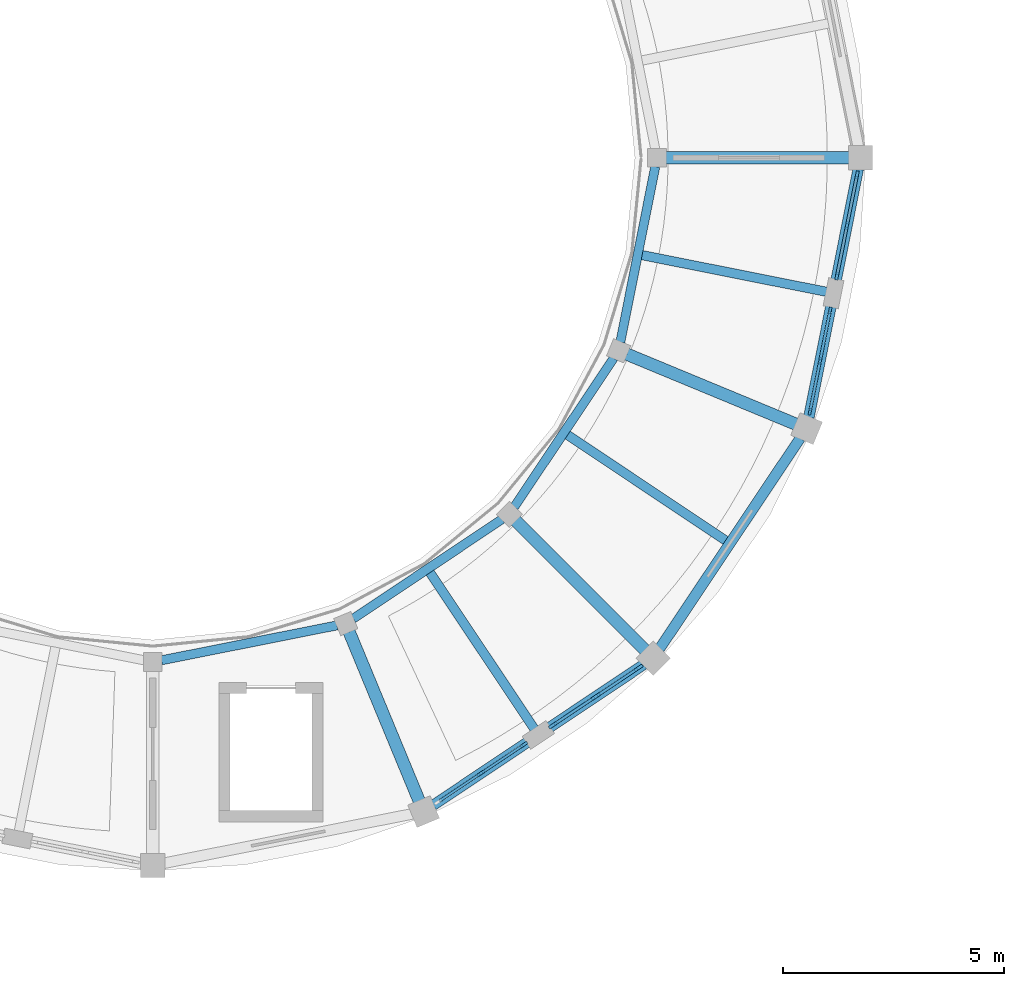
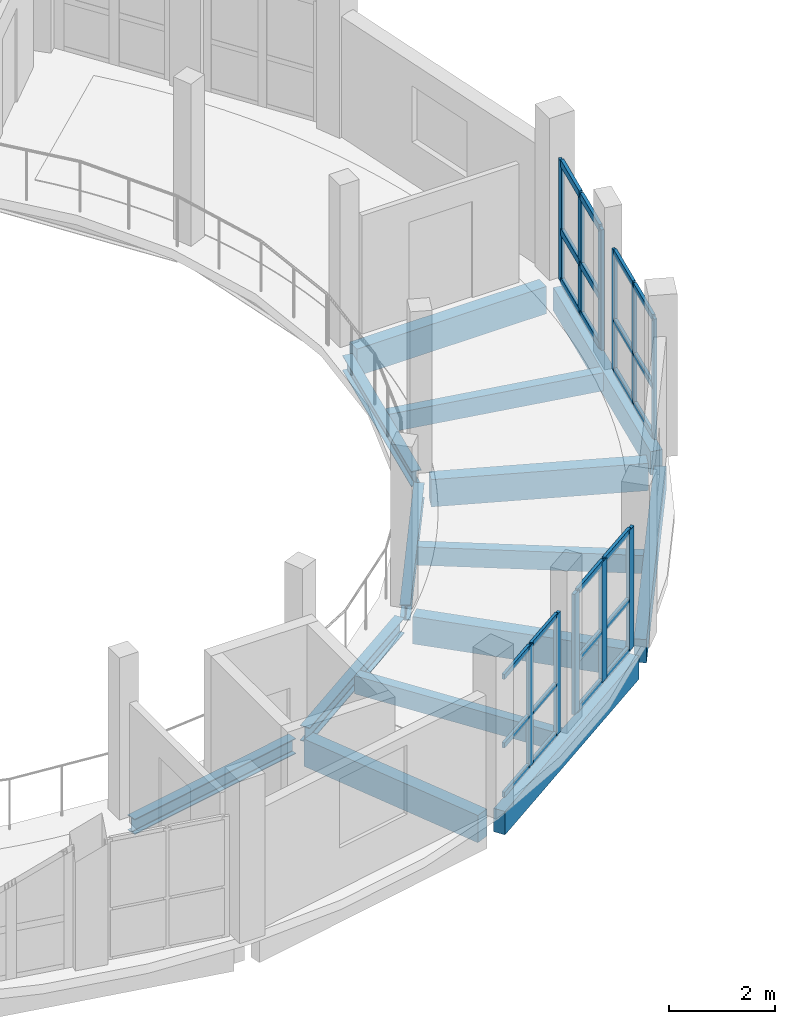
# One storey, part 34 of 77: 35 members, 14 beams, 4 elements without a shape of their own.
"""IFC4 building model written with IfcOpenShell, lengths in metres."""

from ifc_helpers import new_model, si_unit, direction, frame, origin, origin_2d, place, context, subcontext, project, spatial, rectangle, i_section, extrude, material, layer, layer_set, material_profile, profile_set, type_object, element, aggregate, save


model = new_model("IFC4")

# Units and contexts
model_context = context("Model", 3, precision=1e-05, world=origin(), true_north=direction((0.0, 1.0)))
body_context = subcontext(model_context, "Body", "Model", "MODEL_VIEW")
ifc_project = project(units=[si_unit("LENGTHUNIT", "METRE"), si_unit("AREAUNIT", "SQUARE_METRE"), si_unit("VOLUMEUNIT", "CUBIC_METRE"), si_unit("PLANEANGLEUNIT", "RADIAN"), si_unit("MASSUNIT", "GRAM", prefix="KILO")], contexts=[model_context])

# Site, building, storey
site_placement = place(None, origin())
site = spatial("IfcSite", under=ifc_project, at=site_placement, CompositionType="ELEMENT")
building_placement = place(site_placement, origin())
building = spatial("IfcBuilding", under=site, at=building_placement, Name="Caldaven Crescent School", CompositionType="ELEMENT")
storey_placement = place(building_placement, frame((0.0, 0.0, 4.419921875)))
storey = spatial("IfcBuildingStorey", under=building, at=storey_placement, Name="L01", CompositionType="ELEMENT", Elevation=4.419921875)

# Beams
ifc_material_1 = material(Name="Glulam MLE24h (GL28h)", Category="wood")
ifc_material_profile_1 = material_profile(ifc_material_1, rectangle(XDim=0.280029296875, YDim=0.6298828125, at=origin_2d()), Name="MLE 280x630")
ifc_profile_set_1 = profile_set([ifc_material_profile_1], Name="Glulam MLE24h (GL28h)")
beam_type_1 = type_object("IfcBeamType", Name="BM-GL63", PredefinedType="BEAM", material=ifc_profile_set_1)
for number, where, z_axis, x_axis, name in (
    (1, (35.10009765625, 98.5, -0.534912109375), (1.0, 0.0, 0.0), (0.0, 1.0, 0.0), "BM-V2-L01-0288"),
    (2, (27.939208984375, 87.782958984375, -0.534912109375), (0.382679925467, -0.923880985108, 0.0), (0.923880985108, 0.382679925467, 0.0), "BM-V2-L01-0337"),
):
    element("IfcBeam", number, at=place(storey_placement, frame(where, z_axis=z_axis, x_axis=x_axis)), inside=storey, type_object=beam_type_1, Name=name, PredefinedType="BEAM", context=body_context, shape_type="SweptSolid", body=[
        extrude(rectangle(XDim=0.280029296875, YDim=0.6298828125, at=origin_2d()), origin(), (0.0, 0.0, 1.0), 4.139892578125),
    ])
beam_1_placement = place(storey_placement, frame((31.702392578125, 90.297607421875, -0.534912109375), z_axis=(0.707106781187, -0.707106781187, 0.0), x_axis=(0.707106781187, 0.707106781187, 0.0)))
element("IfcBeam", 3, at=beam_1_placement, inside=storey, type_object=beam_type_1, Name="BM-V2-L01-0341", PredefinedType="BEAM", context=body_context, shape_type="SweptSolid", body=[
    extrude(rectangle(XDim=0.280029296875, YDim=0.6298828125, at=origin_2d()), origin(), (0.0, 0.0, 1.0), 4.14013671875),
])
beam_2_placement = place(storey_placement, frame((34.217041015625, 94.060791015625, -0.534912109375), z_axis=(0.923880985108, -0.382679925467, 0.0), x_axis=(0.382679925467, 0.923880985108, 0.0)))
element("IfcBeam", 4, at=beam_2_placement, inside=storey, type_object=beam_type_1, Name="BM-V2-L01-0345", PredefinedType="BEAM", context=body_context, shape_type="SweptSolid", body=[
    extrude(rectangle(XDim=0.280029296875, YDim=0.6298828125, at=origin_2d()), origin(), (0.0, 0.0, 1.0), 4.139892578125),
])
ifc_material_2 = material(Name="Steel ASTM A572 Grade 50", Category="steel")
ifc_material_profile_2 = material_profile(ifc_material_2, i_section(OverallWidth=0.205078125, OverallDepth=0.35400390625, WebThickness=0.009521484375, FlangeThickness=0.016845703125, FilletRadius=0.014892578125, at=origin_2d()), Name="W360x79")
ifc_profile_set_2 = profile_set([ifc_material_profile_2], Name="Steel ASTM A572 Grade 50")
beam_type_2 = type_object("IfcBeamType", Name="BM-W36", PredefinedType="BEAM", material=ifc_profile_set_2)
beam_3_placement = place(storey_placement, frame((23.696044921875, 87.138916015625, -0.39697265625), z_axis=(0.980784262971, 0.195095436925, 0.0), x_axis=(-0.195095436925, 0.980784262971, 0.0)))
element("IfcBeam", 5, at=beam_3_placement, inside=storey, type_object=beam_type_2, Name="BM-V2-L01-0335", PredefinedType="BEAM", context=body_context, shape_type="SweptSolid", body=[
    extrude(i_section(OverallWidth=0.205078125, OverallDepth=0.35400390625, WebThickness=0.009521484375, FlangeThickness=0.016845703125, FilletRadius=0.014892578125, at=origin_2d()), origin(), (0.0, 0.0, 1.0), 4.04833984375),
])
for number, where, z_axis, x_axis, name in (
    (6, (28.02880859375, 88.078857421875, -0.39697265625), (0.831474595704, 0.55556277476, 0.0), (-0.55556277476, 0.831474595704, 0.0), "BM-V2-L01-0338"),
    (7, (31.672119140625, 90.605224609375, -0.39697265625), (0.55556277476, 0.831474595704, 0.0), (-0.831474595704, 0.55556277476, 0.0), "BM-V2-L01-0342"),
):
    element("IfcBeam", number, at=place(storey_placement, frame(where, z_axis=z_axis, x_axis=x_axis)), inside=storey, type_object=beam_type_2, Name=name, PredefinedType="BEAM", context=body_context, shape_type="SweptSolid", body=[
        extrude(i_section(OverallWidth=0.205078125, OverallDepth=0.35400390625, WebThickness=0.009521484375, FlangeThickness=0.016845703125, FilletRadius=0.014892578125, at=origin_2d()), origin(), (0.0, 0.0, 1.0), 4.048095703125),
    ])
beam_4_placement = place(storey_placement, frame((34.0712890625, 94.33349609375, -0.39697265625), z_axis=(0.195095436925, 0.980784262971, 0.0), x_axis=(-0.980784262971, 0.195095436925, 0.0)))
element("IfcBeam", 8, at=beam_4_placement, inside=storey, type_object=beam_type_2, Name="BM-V2-L01-0346", PredefinedType="BEAM", context=body_context, shape_type="SweptSolid", body=[
    extrude(i_section(OverallWidth=0.205078125, OverallDepth=0.35400390625, WebThickness=0.009521484375, FlangeThickness=0.016845703125, FilletRadius=0.014892578125, at=origin_2d()), origin(), (0.0, 0.0, 1.0), 4.04833984375),
])

# Curtain wall, members
ifc_material_3 = material(Name="Anodised aluminium AA 6063-T6 and low-E double glazing", Category="aluminium")
ifc_layer_1 = layer(ifc_material_3, 0.22998046875)
ifc_layer_set_1 = layer_set([ifc_layer_1], Name="Anodised aluminium AA 6063-T6 and low-E double glazing")
curtain_wall_type_1 = type_object("IfcCurtainWallType", Name="CW-SYS4", PredefinedType="NOTDEFINED", material=ifc_layer_set_1)
curtain_wall_1_placement = place(storey_placement, origin())
curtain_wall_1 = element("IfcCurtainWall", 9, at=curtain_wall_1_placement, inside=storey, type_object=curtain_wall_type_1, Name="CW-L01-071", PredefinedType="NOTDEFINED")
ifc_material_4 = material(Name="Anodised aluminium AA 6063-T6", Category="aluminium")
ifc_material_profile_3 = material_profile(ifc_material_4, rectangle(XDim=0.06005859375, YDim=0.14990234375, at=origin_2d()), Name="CWM 60x150")
ifc_profile_set_3 = profile_set([ifc_material_profile_3], Name="Anodised aluminium AA 6063-T6")
member_type_1 = type_object("IfcMemberType", Name="CWM-T1", PredefinedType="MULLION", material=ifc_profile_set_3)
member_1_placement = place(storey_placement, frame((38.358154296875, 92.759521484375, 0.0), z_axis=(0.0, 0.0, 1.0), x_axis=(-0.980785941636, 0.195086997747, 0.0)))
member_1 = element("IfcMember", 10, at=member_1_placement, type_object=member_type_1, Name="CW4 mullion 1", PredefinedType="MULLION", context=body_context, shape_type="SweptSolid", body=[
    extrude(rectangle(XDim=0.06005859375, YDim=0.14990234375, at=origin_2d()), origin(), (0.0, 0.0, 1.0), 2.780029296875),
])
member_2_placement = place(storey_placement, frame((38.586669921875, 93.90771484375, 0.0), z_axis=(0.0, 0.0, 1.0), x_axis=(-0.980785941636, 0.195086997747, 0.0)))
member_2 = element("IfcMember", 11, at=member_2_placement, type_object=member_type_1, Name="CW4 mullion 2", PredefinedType="MULLION", context=body_context, shape_type="SweptSolid", body=[
    extrude(rectangle(XDim=0.06005859375, YDim=0.14990234375, at=origin_2d()), origin(), (0.0, 0.0, 1.0), 2.780029296875),
])
member_3_placement = place(storey_placement, frame((38.81494140625, 95.055908203125, 0.0), z_axis=(0.0, 0.0, 1.0), x_axis=(-0.980785941636, 0.195086997747, 0.0)))
member_3 = element("IfcMember", 12, at=member_3_placement, type_object=member_type_1, Name="CW4 mullion 3", PredefinedType="MULLION", context=body_context, shape_type="SweptSolid", body=[
    extrude(rectangle(XDim=0.06005859375, YDim=0.14990234375, at=origin_2d()), origin(), (0.0, 0.0, 1.0), 2.780029296875),
])

ifc_layer_2 = layer(ifc_material_3, 0.18994140625)
ifc_layer_set_2 = layer_set([ifc_layer_2], Name="Anodised aluminium AA 6063-T6 and low-E double glazing")
curtain_wall_type_2 = type_object("IfcCurtainWallType", Name="CW-SYS2", PredefinedType="NOTDEFINED", material=ifc_layer_set_2)
curtain_wall_2_placement = place(storey_placement, origin())
curtain_wall_2 = element("IfcCurtainWall", 13, at=curtain_wall_2_placement, inside=storey, type_object=curtain_wall_type_2, Name="CW-L01-069", PredefinedType="NOTDEFINED")
ifc_material_profile_4 = material_profile(ifc_material_4, rectangle(XDim=0.06494140625, YDim=0.179931640625, at=origin_2d()), Name="CWM 65x180")
ifc_profile_set_4 = profile_set([ifc_material_profile_4], Name="Anodised aluminium AA 6063-T6")
member_type_2 = type_object("IfcMemberType", Name="CWM-T2", PredefinedType="MULLION", material=ifc_profile_set_4)
member_4_placement = place(storey_placement, frame((30.920654296875, 84.5849609375, 0.0), z_axis=(0.0, 0.0, 1.0), x_axis=(-0.555569561758, 0.831470060825, 0.0)))
member_4 = element("IfcMember", 14, at=member_4_placement, type_object=member_type_2, Name="CW2 mullion 2", PredefinedType="MULLION", context=body_context, shape_type="SweptSolid", body=[
    extrude(rectangle(XDim=0.06494140625, YDim=0.179931640625, at=origin_2d()), origin(), (0.0, 0.0, 1.0), 2.780029296875),
])
member_5_placement = place(storey_placement, frame((31.891845703125, 85.234130859375, 0.0), z_axis=(0.0, 0.0, 1.0), x_axis=(-0.555569561758, 0.831470060825, 0.0)))
member_5 = element("IfcMember", 15, at=member_5_placement, type_object=member_type_2, Name="CW2 mullion 3", PredefinedType="MULLION", context=body_context, shape_type="SweptSolid", body=[
    extrude(rectangle(XDim=0.06494140625, YDim=0.179931640625, at=origin_2d()), origin(), (0.0, 0.0, 1.0), 2.780029296875),
])

ifc_layer_3 = layer(ifc_material_3, 0.169921875)
ifc_layer_set_3 = layer_set([ifc_layer_3], Name="Anodised aluminium AA 6063-T6 and low-E double glazing")
curtain_wall_type_3 = type_object("IfcCurtainWallType", Name="CW-SYS1", PredefinedType="NOTDEFINED", material=ifc_layer_set_3)
curtain_wall_3_placement = place(storey_placement, origin())
curtain_wall_3 = element("IfcCurtainWall", 16, at=curtain_wall_3_placement, inside=storey, type_object=curtain_wall_type_3, Name="CW-L01-072", PredefinedType="NOTDEFINED")
member_6_placement = place(storey_placement, frame((38.967529296875, 95.823486328125, 0.0), z_axis=(0.0, 0.0, 1.0), x_axis=(-0.980785144861, 0.19509100343, 0.0)))
member_6 = element("IfcMember", 17, at=member_6_placement, type_object=member_type_2, Name="CW1 mullion 1", PredefinedType="MULLION", context=body_context, shape_type="SweptSolid", body=[
    extrude(rectangle(XDim=0.06494140625, YDim=0.179931640625, at=origin_2d()), origin(), (0.0, 0.0, 1.0), 2.780029296875),
])
member_7_placement = place(storey_placement, frame((39.195556640625, 96.96923828125, 0.0), z_axis=(0.0, 0.0, 1.0), x_axis=(-0.980785144861, 0.19509100343, 0.0)))
member_7 = element("IfcMember", 18, at=member_7_placement, type_object=member_type_2, Name="CW1 mullion 2", PredefinedType="MULLION", context=body_context, shape_type="SweptSolid", body=[
    extrude(rectangle(XDim=0.06494140625, YDim=0.179931640625, at=origin_2d()), origin(), (0.0, 0.0, 1.0), 2.780029296875),
])
member_8_placement = place(storey_placement, frame((39.42333984375, 98.114990234375, 0.0), z_axis=(0.0, 0.0, 1.0), x_axis=(-0.980785144861, 0.19509100343, 0.0)))
member_8 = element("IfcMember", 19, at=member_8_placement, type_object=member_type_2, Name="CW1 mullion 3", PredefinedType="MULLION", context=body_context, shape_type="SweptSolid", body=[
    extrude(rectangle(XDim=0.06494140625, YDim=0.179931640625, at=origin_2d()), origin(), (0.0, 0.0, 1.0), 2.780029296875),
])

ifc_layer_4 = layer(ifc_material_3, 0.2099609375)
ifc_layer_set_4 = layer_set([ifc_layer_4], Name="Anodised aluminium AA 6063-T6 and low-E double glazing")
curtain_wall_type_4 = type_object("IfcCurtainWallType", Name="CW-SYS3", PredefinedType="NOTDEFINED", material=ifc_layer_set_4)
curtain_wall_4_placement = place(storey_placement, origin())
curtain_wall_4 = element("IfcCurtainWall", 20, at=curtain_wall_4_placement, inside=storey, type_object=curtain_wall_type_4, Name="CW-L01-070", PredefinedType="NOTDEFINED")
ifc_material_profile_5 = material_profile(ifc_material_4, rectangle(XDim=0.070068359375, YDim=0.2099609375, at=origin_2d()), Name="CWM 70x210")
ifc_profile_set_5 = profile_set([ifc_material_profile_5], Name="Anodised aluminium AA 6063-T6")
member_type_3 = type_object("IfcMemberType", Name="CWM-T3", PredefinedType="MULLION", material=ifc_profile_set_5)
member_9_placement = place(storey_placement, frame((32.546630859375, 85.671630859375, 0.0), z_axis=(0.0, 0.0, 1.0), x_axis=(-0.555572440609, 0.831468137234, 0.0)))
member_9 = element("IfcMember", 21, at=member_9_placement, type_object=member_type_3, Name="CW3 mullion 1", PredefinedType="MULLION", context=body_context, shape_type="SweptSolid", body=[
    extrude(rectangle(XDim=0.070068359375, YDim=0.2099609375, at=origin_2d()), origin(), (0.0, 0.0, 1.0), 2.780029296875),
])
member_10_placement = place(storey_placement, frame((33.51611328125, 86.319091796875, 0.0), z_axis=(0.0, 0.0, 1.0), x_axis=(-0.555572440609, 0.831468137234, 0.0)))
member_10 = element("IfcMember", 22, at=member_10_placement, type_object=member_type_3, Name="CW3 mullion 2", PredefinedType="MULLION", context=body_context, shape_type="SweptSolid", body=[
    extrude(rectangle(XDim=0.070068359375, YDim=0.2099609375, at=origin_2d()), origin(), (0.0, 0.0, 1.0), 2.780029296875),
])
member_11_placement = place(storey_placement, frame((34.4853515625, 86.966796875, 0.0), z_axis=(0.0, 0.0, 1.0), x_axis=(-0.555572440609, 0.831468137234, 0.0)))
member_11 = element("IfcMember", 23, at=member_11_placement, type_object=member_type_3, Name="CW3 mullion 3", PredefinedType="MULLION", context=body_context, shape_type="SweptSolid", body=[
    extrude(rectangle(XDim=0.070068359375, YDim=0.2099609375, at=origin_2d()), origin(), (0.0, 0.0, 1.0), 2.780029296875),
])

# Member
ifc_material_profile_6 = material_profile(ifc_material_4, rectangle(XDim=0.06005859375, YDim=0.1201171875, at=origin_2d()), Name="CWT 60x120")
ifc_profile_set_6 = profile_set([ifc_material_profile_6], Name="Anodised aluminium AA 6063-T6")
member_type_4 = type_object("IfcMemberType", Name="CWT-T1", PredefinedType="USERDEFINED", material=ifc_profile_set_6)
member_12_placement = place(storey_placement, frame((29.976318359375, 83.9541015625, 0.030029296875), z_axis=(0.83150510151, 0.555517115994, 0.0), x_axis=(-0.555517115994, 0.83150510151, 0.0)))
member_12 = element("IfcMember", 24, at=member_12_placement, type_object=member_type_4, Name="CW2 transom 1.1", ObjectType="TRANSOM", PredefinedType="USERDEFINED", context=body_context, shape_type="SweptSolid", body=[
    extrude(rectangle(XDim=0.06005859375, YDim=0.1201171875, at=origin_2d()), origin(), (0.0, 0.0, 1.0), 1.10302734375),
])

member_13_placement = place(storey_placement, frame((29.976318359375, 83.9541015625, 1.16796875), z_axis=(0.83150510151, 0.555517115994, 0.0), x_axis=(-0.555517115994, 0.83150510151, 0.0)))
member_13 = element("IfcMember", 25, at=member_13_placement, type_object=member_type_4, Name="CW2 transom 1.2", ObjectType="TRANSOM", PredefinedType="USERDEFINED", context=body_context, shape_type="SweptSolid", body=[
    extrude(rectangle(XDim=0.06005859375, YDim=0.1201171875, at=origin_2d()), origin(), (0.0, 0.0, 1.0), 1.10302734375),
])

member_14_placement = place(storey_placement, frame((29.976318359375, 83.9541015625, 2.75), z_axis=(0.83150510151, 0.555517115994, 0.0), x_axis=(-0.555517115994, 0.83150510151, 0.0)))
member_14 = element("IfcMember", 26, at=member_14_placement, type_object=member_type_4, Name="CW2 transom 1.3", ObjectType="TRANSOM", PredefinedType="USERDEFINED", context=body_context, shape_type="SweptSolid", body=[
    extrude(rectangle(XDim=0.06005859375, YDim=0.1201171875, at=origin_2d()), origin(), (0.0, 0.0, 1.0), 1.10302734375),
])

member_15_placement = place(storey_placement, frame((30.94775390625, 84.60302734375, 0.030029296875), z_axis=(0.831402868184, 0.555670109665, 0.0), x_axis=(-0.555670109665, 0.831402868184, 0.0)))
member_15 = element("IfcMember", 27, at=member_15_placement, type_object=member_type_4, Name="CW2 transom 2.1", ObjectType="TRANSOM", PredefinedType="USERDEFINED", context=body_context, shape_type="SweptSolid", body=[
    extrude(rectangle(XDim=0.06005859375, YDim=0.1201171875, at=origin_2d()), origin(), (0.0, 0.0, 1.0), 1.103271484375),
])

member_16_placement = place(storey_placement, frame((30.94775390625, 84.60302734375, 1.16796875), z_axis=(0.831402868184, 0.555670109665, 0.0), x_axis=(-0.555670109665, 0.831402868184, 0.0)))
member_16 = element("IfcMember", 28, at=member_16_placement, type_object=member_type_4, Name="CW2 transom 2.2", ObjectType="TRANSOM", PredefinedType="USERDEFINED", context=body_context, shape_type="SweptSolid", body=[
    extrude(rectangle(XDim=0.06005859375, YDim=0.1201171875, at=origin_2d()), origin(), (0.0, 0.0, 1.0), 1.103271484375),
])

member_17_placement = place(storey_placement, frame((30.94775390625, 84.60302734375, 2.75), z_axis=(0.831402868184, 0.555670109665, 0.0), x_axis=(-0.555670109665, 0.831402868184, 0.0)))
member_17 = element("IfcMember", 29, at=member_17_placement, type_object=member_type_4, Name="CW2 transom 2.3", ObjectType="TRANSOM", PredefinedType="USERDEFINED", context=body_context, shape_type="SweptSolid", body=[
    extrude(rectangle(XDim=0.06005859375, YDim=0.1201171875, at=origin_2d()), origin(), (0.0, 0.0, 1.0), 1.103271484375),
])

aggregate(curtain_wall_2, [member_4, member_5, member_12, member_13, member_14, member_15, member_16, member_17])

ifc_material_profile_7 = material_profile(ifc_material_4, rectangle(XDim=0.06494140625, YDim=0.139892578125, at=origin_2d()), Name="CWT 65x140")
ifc_profile_set_7 = profile_set([ifc_material_profile_7], Name="Anodised aluminium AA 6063-T6")
member_type_5 = type_object("IfcMemberType", Name="CWT-T2", PredefinedType="USERDEFINED", material=ifc_profile_set_7)
member_18_placement = place(storey_placement, frame((32.575927734375, 85.69091796875, 0.032470703125), z_axis=(0.831364040106, 0.555728200489, 0.0), x_axis=(-0.555728200489, 0.831364040106, 0.0)))
member_18 = element("IfcMember", 30, at=member_18_placement, type_object=member_type_5, Name="CW3 transom 1.1", ObjectType="TRANSOM", PredefinedType="USERDEFINED", context=body_context, shape_type="SweptSolid", body=[
    extrude(rectangle(XDim=0.06494140625, YDim=0.139892578125, at=origin_2d()), origin(), (0.0, 0.0, 1.0), 1.095703125),
])

member_19_placement = place(storey_placement, frame((32.575927734375, 85.69091796875, 1.16796875), z_axis=(0.831364040106, 0.555728200489, 0.0), x_axis=(-0.555728200489, 0.831364040106, 0.0)))
member_19 = element("IfcMember", 31, at=member_19_placement, type_object=member_type_5, Name="CW3 transom 1.2", ObjectType="TRANSOM", PredefinedType="USERDEFINED", context=body_context, shape_type="SweptSolid", body=[
    extrude(rectangle(XDim=0.06494140625, YDim=0.139892578125, at=origin_2d()), origin(), (0.0, 0.0, 1.0), 1.095703125),
])

member_20_placement = place(storey_placement, frame((32.575927734375, 85.69091796875, 2.74755859375), z_axis=(0.831364040106, 0.555728200489, 0.0), x_axis=(-0.555728200489, 0.831364040106, 0.0)))
member_20 = element("IfcMember", 32, at=member_20_placement, type_object=member_type_5, Name="CW3 transom 1.3", ObjectType="TRANSOM", PredefinedType="USERDEFINED", context=body_context, shape_type="SweptSolid", body=[
    extrude(rectangle(XDim=0.06494140625, YDim=0.139892578125, at=origin_2d()), origin(), (0.0, 0.0, 1.0), 1.095703125),
])

member_21_placement = place(storey_placement, frame((33.545166015625, 86.338623046875, 0.032470703125), z_axis=(0.831432837215, 0.555625266885, 0.0), x_axis=(-0.555625266885, 0.831432837215, 0.0)))
member_21 = element("IfcMember", 33, at=member_21_placement, type_object=member_type_5, Name="CW3 transom 2.1", ObjectType="TRANSOM", PredefinedType="USERDEFINED", context=body_context, shape_type="SweptSolid", body=[
    extrude(rectangle(XDim=0.06494140625, YDim=0.139892578125, at=origin_2d()), origin(), (0.0, 0.0, 1.0), 1.095947265625),
])

member_22_placement = place(storey_placement, frame((33.545166015625, 86.338623046875, 1.16796875), z_axis=(0.831432837215, 0.555625266885, 0.0), x_axis=(-0.555625266885, 0.831432837215, 0.0)))
member_22 = element("IfcMember", 34, at=member_22_placement, type_object=member_type_5, Name="CW3 transom 2.2", ObjectType="TRANSOM", PredefinedType="USERDEFINED", context=body_context, shape_type="SweptSolid", body=[
    extrude(rectangle(XDim=0.06494140625, YDim=0.139892578125, at=origin_2d()), origin(), (0.0, 0.0, 1.0), 1.095947265625),
])

member_23_placement = place(storey_placement, frame((33.545166015625, 86.338623046875, 2.74755859375), z_axis=(0.831432837215, 0.555625266885, 0.0), x_axis=(-0.555625266885, 0.831432837215, 0.0)))
member_23 = element("IfcMember", 35, at=member_23_placement, type_object=member_type_5, Name="CW3 transom 2.3", ObjectType="TRANSOM", PredefinedType="USERDEFINED", context=body_context, shape_type="SweptSolid", body=[
    extrude(rectangle(XDim=0.06494140625, YDim=0.139892578125, at=origin_2d()), origin(), (0.0, 0.0, 1.0), 1.095947265625),
])

aggregate(curtain_wall_4, [member_9, member_10, member_11, member_18, member_19, member_20, member_21, member_22, member_23])

member_24_placement = place(storey_placement, frame((38.364013671875, 92.7890625, 0.032470703125), z_axis=(0.195186106212, 0.98076622288, 0.0), x_axis=(-0.98076622288, 0.195186106212, 0.0)))
member_24 = element("IfcMember", 36, at=member_24_placement, type_object=member_type_5, Name="CW4 transom 1.1", ObjectType="TRANSOM", PredefinedType="USERDEFINED", context=body_context, shape_type="SweptSolid", body=[
    extrude(rectangle(XDim=0.06494140625, YDim=0.139892578125, at=origin_2d()), origin(), (0.0, 0.0, 1.0), 1.11083984375),
])

member_25_placement = place(storey_placement, frame((38.364013671875, 92.7890625, 1.16796875), z_axis=(0.195186106212, 0.98076622288, 0.0), x_axis=(-0.98076622288, 0.195186106212, 0.0)))
member_25 = element("IfcMember", 37, at=member_25_placement, type_object=member_type_5, Name="CW4 transom 1.2", ObjectType="TRANSOM", PredefinedType="USERDEFINED", context=body_context, shape_type="SweptSolid", body=[
    extrude(rectangle(XDim=0.06494140625, YDim=0.139892578125, at=origin_2d()), origin(), (0.0, 0.0, 1.0), 1.11083984375),
])

member_26_placement = place(storey_placement, frame((38.364013671875, 92.7890625, 2.74755859375), z_axis=(0.195186106212, 0.98076622288, 0.0), x_axis=(-0.98076622288, 0.195186106212, 0.0)))
member_26 = element("IfcMember", 38, at=member_26_placement, type_object=member_type_5, Name="CW4 transom 1.3", ObjectType="TRANSOM", PredefinedType="USERDEFINED", context=body_context, shape_type="SweptSolid", body=[
    extrude(rectangle(XDim=0.06494140625, YDim=0.139892578125, at=origin_2d()), origin(), (0.0, 0.0, 1.0), 1.11083984375),
])

member_27_placement = place(storey_placement, frame((38.592529296875, 93.937255859375, 0.032470703125), z_axis=(0.194974662451, 0.980808279432, 0.0), x_axis=(-0.980808279432, 0.194974662451, 0.0)))
member_27 = element("IfcMember", 39, at=member_27_placement, type_object=member_type_5, Name="CW4 transom 2.1", ObjectType="TRANSOM", PredefinedType="USERDEFINED", context=body_context, shape_type="SweptSolid", body=[
    extrude(rectangle(XDim=0.06494140625, YDim=0.139892578125, at=origin_2d()), origin(), (0.0, 0.0, 1.0), 1.110595703125),
])

member_28_placement = place(storey_placement, frame((38.592529296875, 93.937255859375, 1.16796875), z_axis=(0.194974662451, 0.980808279432, 0.0), x_axis=(-0.980808279432, 0.194974662451, 0.0)))
member_28 = element("IfcMember", 40, at=member_28_placement, type_object=member_type_5, Name="CW4 transom 2.2", ObjectType="TRANSOM", PredefinedType="USERDEFINED", context=body_context, shape_type="SweptSolid", body=[
    extrude(rectangle(XDim=0.06494140625, YDim=0.139892578125, at=origin_2d()), origin(), (0.0, 0.0, 1.0), 1.110595703125),
])

member_29_placement = place(storey_placement, frame((38.592529296875, 93.937255859375, 2.74755859375), z_axis=(0.194974662451, 0.980808279432, 0.0), x_axis=(-0.980808279432, 0.194974662451, 0.0)))
member_29 = element("IfcMember", 41, at=member_29_placement, type_object=member_type_5, Name="CW4 transom 2.3", ObjectType="TRANSOM", PredefinedType="USERDEFINED", context=body_context, shape_type="SweptSolid", body=[
    extrude(rectangle(XDim=0.06494140625, YDim=0.139892578125, at=origin_2d()), origin(), (0.0, 0.0, 1.0), 1.110595703125),
])

aggregate(curtain_wall_1, [member_1, member_2, member_3, member_24, member_25, member_26, member_27, member_28, member_29])

ifc_material_profile_8 = material_profile(ifc_material_4, rectangle(XDim=0.070068359375, YDim=0.159912109375, at=origin_2d()), Name="CWT 70x160")
ifc_profile_set_8 = profile_set([ifc_material_profile_8], Name="Anodised aluminium AA 6063-T6")
member_type_6 = type_object("IfcMemberType", Name="CWT-T3", PredefinedType="USERDEFINED", material=ifc_profile_set_8)
member_30_placement = place(storey_placement, frame((38.973876953125, 95.85546875, 0.03515625), z_axis=(0.195179809092, 0.980767476073, 0.0), x_axis=(-0.980767476073, 0.195179809092, 0.0)))
member_30 = element("IfcMember", 42, at=member_30_placement, type_object=member_type_6, Name="CW1 transom 1.1", ObjectType="TRANSOM", PredefinedType="USERDEFINED", context=body_context, shape_type="SweptSolid", body=[
    extrude(rectangle(XDim=0.070068359375, YDim=0.159912109375, at=origin_2d()), origin(), (0.0, 0.0, 1.0), 1.103271484375),
])

member_31_placement = place(storey_placement, frame((38.973876953125, 95.85546875, 1.16796875), z_axis=(0.195179809092, 0.980767476073, 0.0), x_axis=(-0.980767476073, 0.195179809092, 0.0)))
member_31 = element("IfcMember", 43, at=member_31_placement, type_object=member_type_6, Name="CW1 transom 1.2", ObjectType="TRANSOM", PredefinedType="USERDEFINED", context=body_context, shape_type="SweptSolid", body=[
    extrude(rectangle(XDim=0.070068359375, YDim=0.159912109375, at=origin_2d()), origin(), (0.0, 0.0, 1.0), 1.103271484375),
])

member_32_placement = place(storey_placement, frame((38.973876953125, 95.85546875, 2.7451171875), z_axis=(0.195179809092, 0.980767476073, 0.0), x_axis=(-0.980767476073, 0.195179809092, 0.0)))
member_32 = element("IfcMember", 44, at=member_32_placement, type_object=member_type_6, Name="CW1 transom 1.3", ObjectType="TRANSOM", PredefinedType="USERDEFINED", context=body_context, shape_type="SweptSolid", body=[
    extrude(rectangle(XDim=0.070068359375, YDim=0.159912109375, at=origin_2d()), origin(), (0.0, 0.0, 1.0), 1.103271484375),
])

member_33_placement = place(storey_placement, frame((39.201904296875, 97.001220703125, 0.03515625), z_axis=(0.19496693317, 0.980809815902, 0.0), x_axis=(-0.980809815902, 0.19496693317, 0.0)))
member_33 = element("IfcMember", 45, at=member_33_placement, type_object=member_type_6, Name="CW1 transom 2.1", ObjectType="TRANSOM", PredefinedType="USERDEFINED", context=body_context, shape_type="SweptSolid", body=[
    extrude(rectangle(XDim=0.070068359375, YDim=0.159912109375, at=origin_2d()), origin(), (0.0, 0.0, 1.0), 1.103271484375),
])

member_34_placement = place(storey_placement, frame((39.201904296875, 97.001220703125, 1.16796875), z_axis=(0.19496693317, 0.980809815902, 0.0), x_axis=(-0.980809815902, 0.19496693317, 0.0)))
member_34 = element("IfcMember", 46, at=member_34_placement, type_object=member_type_6, Name="CW1 transom 2.2", ObjectType="TRANSOM", PredefinedType="USERDEFINED", context=body_context, shape_type="SweptSolid", body=[
    extrude(rectangle(XDim=0.070068359375, YDim=0.159912109375, at=origin_2d()), origin(), (0.0, 0.0, 1.0), 1.103271484375),
])

member_35_placement = place(storey_placement, frame((39.201904296875, 97.001220703125, 2.7451171875), z_axis=(0.19496693317, 0.980809815902, 0.0), x_axis=(-0.980809815902, 0.19496693317, 0.0)))
member_35 = element("IfcMember", 47, at=member_35_placement, type_object=member_type_6, Name="CW1 transom 2.3", ObjectType="TRANSOM", PredefinedType="USERDEFINED", context=body_context, shape_type="SweptSolid", body=[
    extrude(rectangle(XDim=0.070068359375, YDim=0.159912109375, at=origin_2d()), origin(), (0.0, 0.0, 1.0), 1.103271484375),
])

aggregate(curtain_wall_3, [member_6, member_7, member_8, member_30, member_31, member_32, member_33, member_34, member_35])

# Beams
ifc_material_profile_9 = material_profile(ifc_material_1, rectangle(XDim=0.2099609375, YDim=0.419921875, at=origin_2d()), Name="MLE 210x420")
ifc_profile_set_9 = profile_set([ifc_material_profile_9], Name="Glulam MLE24h (GL28h)")
beam_type_3 = type_object("IfcBeamType", Name="JS-GL42", PredefinedType="JOIST", material=ifc_profile_set_9)
for number, where, z_axis, x_axis, name in (
    (48, (29.767333984375, 89.1201171875, -0.429931640625), (0.555592620164, -0.831454653255, 0.0), (0.831454653255, 0.555592620164, 0.0), "JS-V2-L01-0340"),
    (49, (32.8798828125, 92.232666015625, -0.429931640625), (0.831454653255, -0.555592620164, 0.0), (0.555592620164, 0.831454653255, 0.0), "JS-V2-L01-0344"),
):
    element("IfcBeam", number, at=place(storey_placement, frame(where, z_axis=z_axis, x_axis=x_axis)), inside=storey, type_object=beam_type_3, Name=name, PredefinedType="JOIST", context=body_context, shape_type="SweptSolid", body=[
        extrude(rectangle(XDim=0.2099609375, YDim=0.419921875, at=origin_2d()), origin(), (0.0, 0.0, 1.0), 4.29150390625),
    ])
beam_5_placement = place(storey_placement, frame((34.564208984375, 96.29931640625, -0.429931640625), z_axis=(0.980779272927, -0.195120521208, 0.0), x_axis=(0.195120521208, 0.980779272927, 0.0)))
element("IfcBeam", 50, at=beam_5_placement, inside=storey, type_object=beam_type_3, Name="JS-V2-L01-0348", PredefinedType="JOIST", context=body_context, shape_type="SweptSolid", body=[
    extrude(rectangle(XDim=0.2099609375, YDim=0.419921875, at=origin_2d()), origin(), (0.0, 0.0, 1.0), 4.291748046875),
])
ifc_material_profile_10 = material_profile(ifc_material_1, rectangle(XDim=0.239990234375, YDim=0.5400390625, at=origin_2d()), Name="MLE 240x540")
ifc_profile_set_10 = profile_set([ifc_material_profile_10], Name="Glulam MLE24h (GL28h)")
beam_type_4 = type_object("IfcBeamType", Name="SP-GL54", PredefinedType="SPANDREL", material=ifc_profile_set_10)
for number, where, z_axis, x_axis, name in (
    (51, (29.839111328125, 83.8623046875, -0.489990234375), (0.831465703483, 0.555576082938, 0.0), (-0.555576082938, 0.831465703483, 0.0), "BM-V2-L01-0339"),
    (52, (34.958251953125, 87.402587890625, -0.489990234375), (0.555576082938, 0.831465703483, 0.0), (-0.831465703483, 0.555576082938, 0.0), "BM-V2-L01-0343"),
    (53, (38.332763671875, 92.632080078125, -0.489990234375), (0.195082351248, 0.980786865854, 0.0), (-0.980786865854, 0.195082351248, 0.0), "BM-V2-L01-0347"),
):
    element("IfcBeam", number, at=place(storey_placement, frame(where, z_axis=z_axis, x_axis=x_axis)), inside=storey, type_object=beam_type_4, Name=name, PredefinedType="SPANDREL", context=body_context, shape_type="SweptSolid", body=[
        extrude(rectangle(XDim=0.239990234375, YDim=0.5400390625, at=origin_2d()), origin(), (0.0, 0.0, 1.0), 5.722900390625),
    ])

save(model, "model.ifc")
